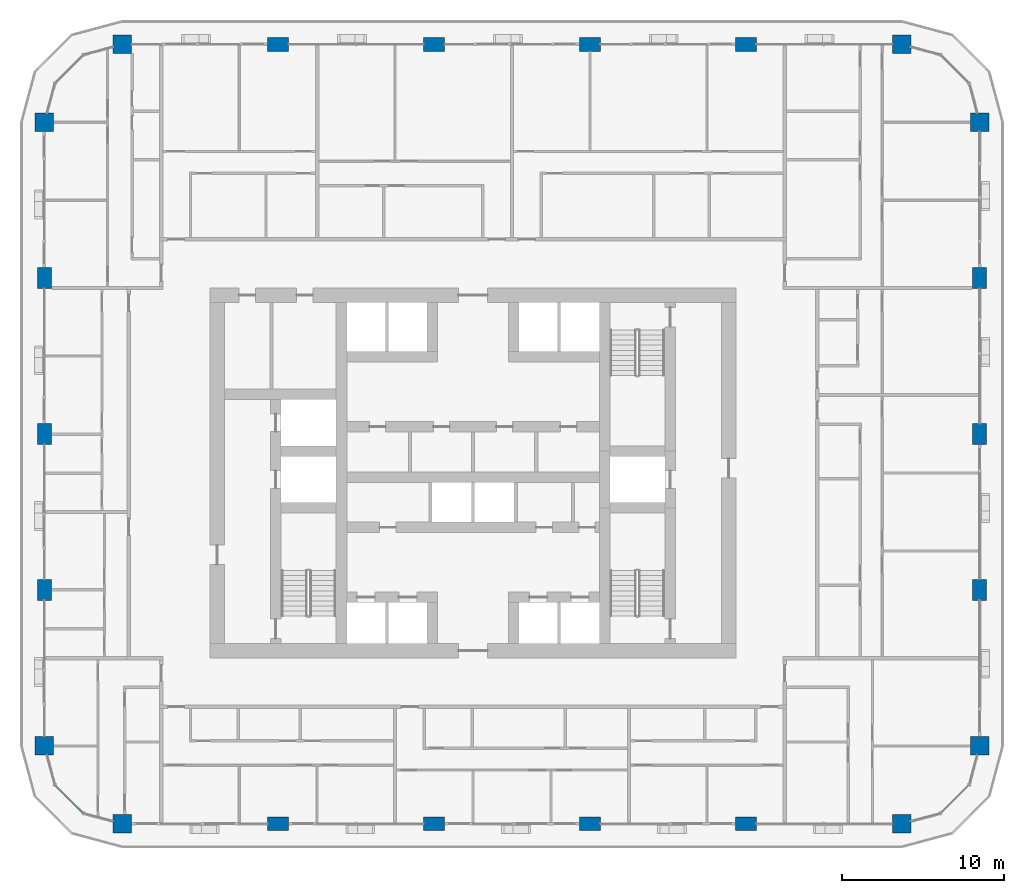
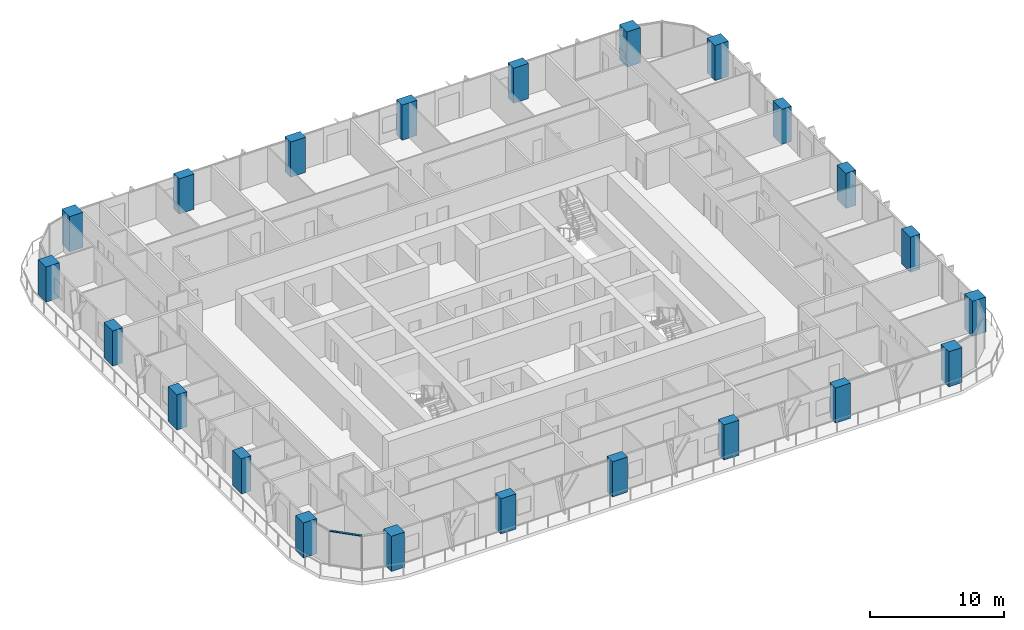
# One storey, part 1 of 22: 22 columns, 1 member, 1 element without a shape of its own.
"""IFC4 building model written with IfcOpenShell, lengths in metres."""

from ifc_helpers import new_model, si_unit, direction, frame, origin, origin_2d, place, context, subcontext, project, spatial, rectangle, extrude, material, layer, layer_set, material_profile, profile_set, type_object, element, aggregate, save


model = new_model("IFC4")

# Units and contexts
model_context = context("Model", 3, precision=1e-05, world=origin(), true_north=direction((0.0, 1.0)))
body_context = subcontext(model_context, "Body", "Model", "MODEL_VIEW")
ifc_project = project(units=[si_unit("LENGTHUNIT", "METRE"), si_unit("AREAUNIT", "SQUARE_METRE"), si_unit("VOLUMEUNIT", "CUBIC_METRE"), si_unit("PLANEANGLEUNIT", "RADIAN"), si_unit("MASSUNIT", "GRAM", prefix="KILO")], contexts=[model_context])

# Site, building, storey
site_placement = place(None, origin())
site = spatial("IfcSite", under=ifc_project, at=site_placement, CompositionType="ELEMENT")
building_placement = place(site_placement, origin())
building = spatial("IfcBuilding", under=site, at=building_placement, Name="Madar Terraces", CompositionType="ELEMENT")
storey_placement = place(building_placement, frame((0.0, 0.0, 103.199951171875)))
storey = spatial("IfcBuildingStorey", under=building, at=storey_placement, Name="L26", CompositionType="ELEMENT", Elevation=103.199951171875)

# Columns
ifc_material_1 = material(Name="Concrete C80/95", Category="concrete")
ifc_material_profile_1 = material_profile(ifc_material_1, rectangle(XDim=1.300048828125, YDim=0.85009765625, at=origin_2d()), Name="CC2 RC 1300x850")
ifc_profile_set_1 = profile_set([ifc_material_profile_1], Name="Concrete C80/95")
column_type_1 = type_object("IfcColumnType", Name="CC2 RC 1300x850", PredefinedType="COLUMN", material=ifc_profile_set_1)
for number, where, z_axis, x_axis, name in (
    (1, (19.199951171875, 4.800048828125, 0.0), (0.0, 0.0, 1.0), (1.0, 0.0, 0.0), "Perimeter column S2"),
    (2, (28.800048828125, 4.800048828125, 0.0), (0.0, 0.0, 1.0), (1.0, 0.0, 0.0), "Perimeter column S3"),
    (3, (38.39990234375, 4.800048828125, 0.0), (0.0, 0.0, 1.0), (1.0, 0.0, 0.0), "Perimeter column S4"),
    (4, (48.0, 4.800048828125, 0.0), (0.0, 0.0, 1.0), (1.0, 0.0, 0.0), "Perimeter column S5"),
    (5, (62.39990234375, 19.199951171875, 0.0), (0.0, 0.0, 1.0), (0.0, 1.0, 0.0), "Perimeter column E2"),
    (6, (62.39990234375, 28.800048828125, 0.0), (0.0, 0.0, 1.0), (0.0, 1.0, 0.0), "Perimeter column E3"),
    (7, (62.39990234375, 38.39990234375, 0.0), (0.0, 0.0, 1.0), (0.0, 1.0, 0.0), "Perimeter column E4"),
    (8, (48.0, 52.800048828125, 0.0), (0.0, 0.0, 1.0), (1.0, 0.0, 0.0), "Perimeter column N2"),
    (9, (38.39990234375, 52.800048828125, 0.0), (0.0, 0.0, 1.0), (1.0, 0.0, 0.0), "Perimeter column N3"),
    (10, (28.800048828125, 52.800048828125, 0.0), (0.0, 0.0, 1.0), (1.0, 0.0, 0.0), "Perimeter column N4"),
    (11, (19.199951171875, 52.800048828125, 0.0), (0.0, 0.0, 1.0), (1.0, 0.0, 0.0), "Perimeter column N5"),
    (12, (4.800048828125, 38.39990234375, 0.0), (0.0, 0.0, 1.0), (0.0, 1.0, 0.0), "Perimeter column W2"),
    (13, (4.800048828125, 28.800048828125, 0.0), (0.0, 0.0, 1.0), (0.0, 1.0, 0.0), "Perimeter column W3"),
    (14, (4.800048828125, 19.199951171875, 0.0), (0.0, 0.0, 1.0), (0.0, 1.0, 0.0), "Perimeter column W4"),
):
    element("IfcColumn", number, at=place(storey_placement, frame(where, z_axis=z_axis, x_axis=x_axis)), inside=storey, type_object=column_type_1, Name=name, PredefinedType="COLUMN", context=body_context, shape_type="SweptSolid", body=[
        extrude(rectangle(XDim=1.300048828125, YDim=0.85009765625, at=origin_2d()), origin(), (0.0, 0.0, 1.0), 3.199951171875),
    ])
ifc_material_2 = material(Name="Concrete C80/95", Category="concrete")
ifc_material_profile_2 = material_profile(ifc_material_2, rectangle(XDim=1.14990234375, YDim=1.14990234375, at=origin_2d()), Name="KC2 RC 1150x1150")
ifc_profile_set_2 = profile_set([ifc_material_profile_2], Name="Concrete C80/95")
column_type_2 = type_object("IfcColumnType", Name="KC2 RC 1150x1150", PredefinedType="COLUMN", material=ifc_profile_set_2)
for number, where, z_axis, x_axis, name in (
    (15, (9.60009765625, 4.800048828125, 0.0), (0.0, 0.0, 1.0), (1.0, 0.0, 0.0), "Perimeter column S1"),
    (16, (57.60009765625, 4.800048828125, 0.0), (0.0, 0.0, 1.0), (1.0, 0.0, 0.0), "Perimeter column S6"),
    (17, (62.39990234375, 9.60009765625, 0.0), (0.0, 0.0, 1.0), (1.0, 0.0, 0.0), "Perimeter column E1"),
    (18, (62.39990234375, 48.0, 0.0), (0.0, 0.0, 1.0), (1.0, 0.0, 0.0), "Perimeter column E5"),
    (19, (57.60009765625, 52.800048828125, 0.0), (0.0, 0.0, 1.0), (1.0, 0.0, 0.0), "Perimeter column N1"),
    (20, (9.60009765625, 52.800048828125, 0.0), (0.0, 0.0, 1.0), (1.0, 0.0, 0.0), "Perimeter column N6"),
    (21, (4.800048828125, 48.0, 0.0), (0.0, 0.0, 1.0), (1.0, 0.0, 0.0), "Perimeter column W1"),
    (22, (4.800048828125, 9.60009765625, 0.0), (0.0, 0.0, 1.0), (1.0, 0.0, 0.0), "Perimeter column W5"),
):
    element("IfcColumn", number, at=place(storey_placement, frame(where, z_axis=z_axis, x_axis=x_axis)), inside=storey, type_object=column_type_2, Name=name, PredefinedType="COLUMN", context=body_context, shape_type="SweptSolid", body=[
        extrude(rectangle(XDim=1.14990234375, YDim=1.14990234375, at=origin_2d()), origin(), (0.0, 0.0, 1.0), 3.199951171875),
    ])

# Curtain wall, member
ifc_material_3 = material(Name="Glass, ceramic frit dark grey, with black aluminium frame", Category="aluminium")
ifc_layer = layer(ifc_material_3, 0.199951171875)
ifc_layer_set = layer_set([ifc_layer], Name="Facade curtain wall, fritted glass")
curtain_wall_type = type_object("IfcCurtainWallType", Name="Facade curtain wall, fritted glass", PredefinedType="NOTDEFINED", material=ifc_layer_set)
curtain_wall_placement = place(storey_placement, origin())
curtain_wall = element("IfcCurtainWall", 23, at=curtain_wall_placement, inside=storey, type_object=curtain_wall_type, Name="Outer skin curtain wall south-west corner", PredefinedType="NOTDEFINED")
ifc_material_4 = material(Name="Aluminium, black anodised", Category="aluminium")
ifc_material_profile_3 = material_profile(ifc_material_4, rectangle(XDim=0.1201171875, YDim=0.06005859375, at=origin_2d()), Name="Facade transom 60x120")
ifc_profile_set_3 = profile_set([ifc_material_profile_3], Name="Aluminium, black anodised")
member_type = type_object("IfcMemberType", Name="Facade transom 60x120", PredefinedType="USERDEFINED", material=ifc_profile_set_3)
member_placement = place(storey_placement, frame((5.46435546875, 7.1787109375, 3.170166015625), z_axis=(0.707106781187, -0.707106781187, 0.0), x_axis=(0.707106781187, 0.707106781187, 0.0)))
member = element("IfcMember", 24, at=member_placement, type_object=member_type, Name="Transom 2", ObjectType="TRANSOM", PredefinedType="USERDEFINED", context=body_context, shape_type="SweptSolid", body=[
    extrude(rectangle(XDim=0.1201171875, YDim=0.06005859375, at=origin_2d()), origin(), (0.0, 0.0, 1.0), 2.424560546875),
])
aggregate(curtain_wall, [member])

save(model, "model.ifc")
